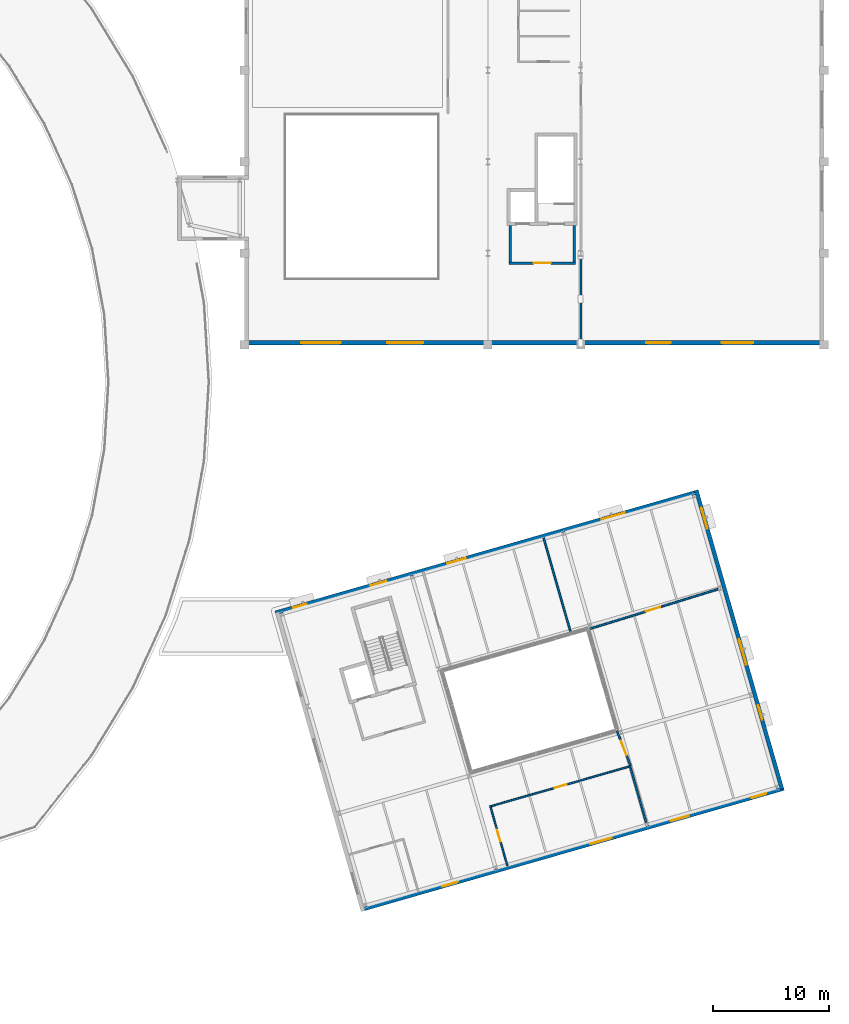
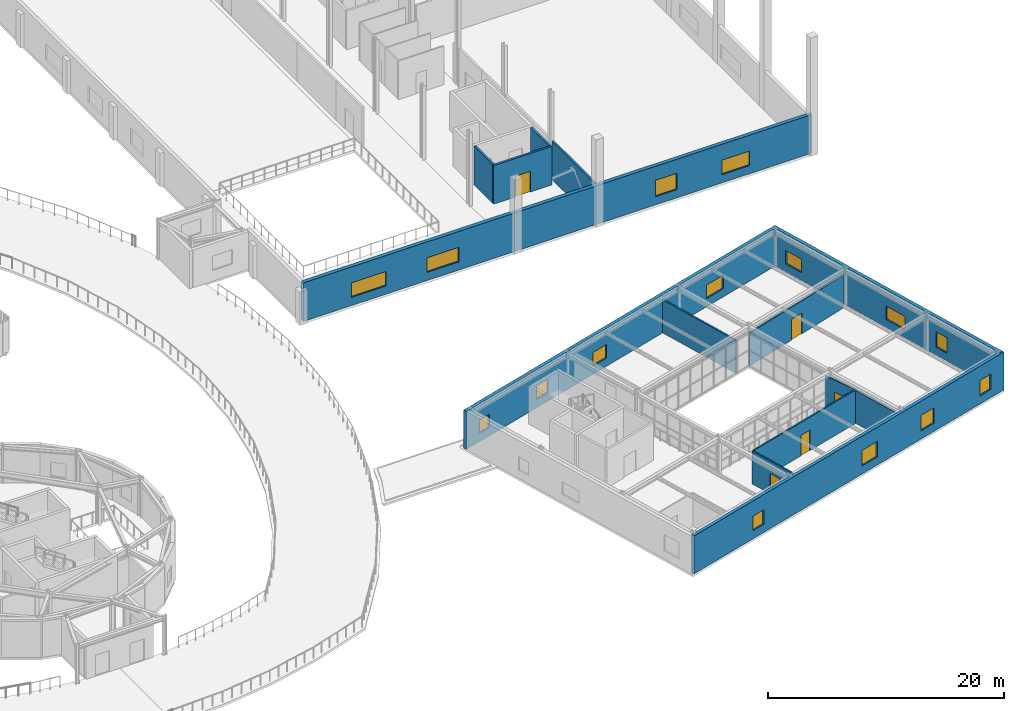
# One storey, part 37 of 59: 15 windows, 14 walls, 5 doors, 20 openings.
"""IFC4 building model written with IfcOpenShell, lengths in metres."""

from ifc_helpers import new_model, si_unit, direction, frame, frame_2d, origin, place, context, subcontext, project, spatial, rectangle, extrude, material, layer, layer_set, type_object, element, fill, save


model = new_model("IFC4")

# Units and contexts
model_context = context("Model", 3, precision=1e-05, world=origin(), true_north=direction((0.0, 1.0)))
body_context = subcontext(model_context, "Body", "Model", "MODEL_VIEW")
ifc_project = project(units=[si_unit("LENGTHUNIT", "METRE"), si_unit("AREAUNIT", "SQUARE_METRE"), si_unit("VOLUMEUNIT", "CUBIC_METRE"), si_unit("PLANEANGLEUNIT", "RADIAN"), si_unit("MASSUNIT", "GRAM", prefix="KILO")], contexts=[model_context])

# Site, building, storey
site_placement = place(None, origin())
site = spatial("IfcSite", under=ifc_project, at=site_placement, CompositionType="ELEMENT")
building_placement = place(site_placement, origin())
building = spatial("IfcBuilding", under=site, at=building_placement, Name="Varnklinge Art Gallery", CompositionType="ELEMENT")
storey_placement = place(building_placement, frame((0.0, 0.0, 9.52001953125)))
storey = spatial("IfcBuildingStorey", under=building, at=storey_placement, Name="L02", CompositionType="ELEMENT", Elevation=9.52001953125)

# Wall, openings, windows
ifc_material_1 = material(Name="Precast concrete C40/50", Category="concrete")
ifc_layer_1 = layer(ifc_material_1, 0.340087890625)
ifc_layer_set_1 = layer_set([ifc_layer_1], Name="Precast concrete C40/50")
wall_type_1 = type_object("IfcWallType", Name="EW-34", PredefinedType="SOLIDWALL", material=ifc_layer_set_1)
wall_1_placement = place(storey_placement, frame((117.061767578125, 35.076416015625, 0.0), z_axis=(0.0, 0.0, 1.0), x_axis=(0.961260735733, 0.275640704428, 0.0)))
wall_1 = element("IfcWall", 1, at=wall_1_placement, inside=storey, type_object=wall_type_1, Name="L02 Exterior Wall EW-V6-L02-02", PredefinedType="SOLIDWALL", context=body_context, shape_type="SweptSolid", body=[
    extrude(rectangle(XDim=37.830078125, YDim=0.340087890625, at=frame_2d((18.9150390625, 0.0))), origin(), (0.0, 0.0, 1.0), 3.919921875),
])
opening_1_placement = place(wall_1_placement, frame((1.60009765625, 0.0, 0.85009765625)))
opening_1 = element("IfcOpeningElement", 2, at=opening_1_placement, cuts=wall_1, Name="Opening WN-21", PredefinedType="OPENING", context=body_context, shape_type="SweptSolid", body=[
    extrude(rectangle(XDim=1.199951171875, YDim=1.39990234375, at=frame_2d((0.60009765625, 0.699951171875))), frame((0.0, 0.179931640625, 0.0), z_axis=(0.0, -1.0, 0.0), x_axis=(1.0, 0.0, 0.0)), (0.0, 0.0, 1.0), 0.360107421875),
])
opening_2_placement = place(wall_1_placement, frame((8.52587890625, 0.0, 0.85009765625)))
opening_2 = element("IfcOpeningElement", 3, at=opening_2_placement, cuts=wall_1, Name="Opening WN-22", PredefinedType="OPENING", context=body_context, shape_type="SweptSolid", body=[
    extrude(rectangle(XDim=1.449951171875, YDim=1.39990234375, at=frame_2d((0.72509765625, 0.699951171875))), frame((0.0, 0.179931640625, 0.0), z_axis=(0.0, -1.0, 0.0), x_axis=(1.0, 0.0, 0.0)), (0.0, 0.0, 1.0), 0.360107421875),
])
opening_3_placement = place(wall_1_placement, frame((15.451904296875, 0.0, 0.85009765625)))
opening_3 = element("IfcOpeningElement", 4, at=opening_3_placement, cuts=wall_1, Name="Opening WN-23", PredefinedType="OPENING", context=body_context, shape_type="SweptSolid", body=[
    extrude(rectangle(XDim=1.64990234375, YDim=1.39990234375, at=frame_2d((0.824951171875, 0.699951171875))), frame((0.0, 0.179931640625, 0.0), z_axis=(0.0, -1.0, 0.0), x_axis=(1.0, 0.0, 0.0)), (0.0, 0.0, 1.0), 0.360107421875),
])
opening_4_placement = place(wall_1_placement, frame((29.303955078125, 0.0, 0.85009765625)))
opening_4 = element("IfcOpeningElement", 5, at=opening_4_placement, cuts=wall_1, Name="Opening WN-25", PredefinedType="OPENING", context=body_context, shape_type="SweptSolid", body=[
    extrude(rectangle(XDim=2.050048828125, YDim=1.39990234375, at=frame_2d((1.02490234375, 0.699951171875))), frame((0.0, 0.179931640625, 0.0), z_axis=(0.0, -1.0, 0.0), x_axis=(1.0, 0.0, 0.0)), (0.0, 0.0, 1.0), 0.360107421875),
])
ifc_material_2 = material(Name="Insulated Low-E Triple Glazing", Category="glass")
window_type_1 = type_object("IfcWindowType", Name="WN-21", PartitioningType="SINGLE_PANEL", PredefinedType="WINDOW", material=ifc_material_2)
window_1_placement = place(opening_1_placement, origin())
window_1 = element("IfcWindow", 6, at=window_1_placement, inside=storey, type_object=window_type_1, Name="L02 Window WIN-L02-177", OverallHeight=1.39990234375, OverallWidth=1.199951171875, PartitioningType="SINGLE_PANEL", PredefinedType="WINDOW", context=body_context, shape_type="SweptSolid", body=[
    extrude(rectangle(XDim=1.199951171875, YDim=1.39990234375, at=frame_2d((0.60009765625, 0.699951171875))), frame((0.0, 0.030029296875, 0.0), z_axis=(0.0, -1.0, 0.0), x_axis=(1.0, 0.0, 0.0)), (0.0, 0.0, 1.0), 0.06005859375),
])
fill(opening_1, window_1)
ifc_material_3 = material(Name="Insulated Low-E Triple Glazing", Category="glass")
window_type_2 = type_object("IfcWindowType", Name="WN-22", PartitioningType="SINGLE_PANEL", PredefinedType="WINDOW", material=ifc_material_3)
window_2_placement = place(opening_2_placement, origin())
window_2 = element("IfcWindow", 7, at=window_2_placement, inside=storey, type_object=window_type_2, Name="L02 Window WIN-L02-178", OverallHeight=1.39990234375, OverallWidth=1.449951171875, PartitioningType="SINGLE_PANEL", PredefinedType="WINDOW", context=body_context, shape_type="SweptSolid", body=[
    extrude(rectangle(XDim=1.449951171875, YDim=1.39990234375, at=frame_2d((0.72509765625, 0.699951171875))), frame((0.0, 0.030029296875, 0.0), z_axis=(0.0, -1.0, 0.0), x_axis=(1.0, 0.0, 0.0)), (0.0, 0.0, 1.0), 0.06005859375),
])
fill(opening_2, window_2)
ifc_material_4 = material(Name="Insulated Low-E Triple Glazing", Category="glass")
window_type_3 = type_object("IfcWindowType", Name="WN-23", PartitioningType="SINGLE_PANEL", PredefinedType="WINDOW", material=ifc_material_4)
window_3_placement = place(opening_3_placement, origin())
window_3 = element("IfcWindow", 8, at=window_3_placement, inside=storey, type_object=window_type_3, Name="L02 Window WIN-L02-179", OverallHeight=1.39990234375, OverallWidth=1.64990234375, PartitioningType="SINGLE_PANEL", PredefinedType="WINDOW", context=body_context, shape_type="SweptSolid", body=[
    extrude(rectangle(XDim=1.64990234375, YDim=1.39990234375, at=frame_2d((0.824951171875, 0.699951171875))), frame((0.0, 0.030029296875, 0.0), z_axis=(0.0, -1.0, 0.0), x_axis=(1.0, 0.0, 0.0)), (0.0, 0.0, 1.0), 0.06005859375),
])
fill(opening_3, window_3)
ifc_material_5 = material(Name="Insulated Low-E Triple Glazing", Category="glass")
window_type_4 = type_object("IfcWindowType", Name="WN-25", PartitioningType="SINGLE_PANEL", PredefinedType="WINDOW", material=ifc_material_5)
window_4_placement = place(opening_4_placement, origin())
window_4 = element("IfcWindow", 9, at=window_4_placement, inside=storey, type_object=window_type_4, Name="L02 Window WIN-L02-180", OverallHeight=1.39990234375, OverallWidth=2.050048828125, PartitioningType="SINGLE_PANEL", PredefinedType="WINDOW", context=body_context, shape_type="SweptSolid", body=[
    extrude(rectangle(XDim=2.050048828125, YDim=1.39990234375, at=frame_2d((1.02490234375, 0.699951171875))), frame((0.0, 0.030029296875, 0.0), z_axis=(0.0, -1.0, 0.0), x_axis=(1.0, 0.0, 0.0)), (0.0, 0.0, 1.0), 0.06005859375),
])
fill(opening_4, window_4)

wall_2_placement = place(storey_placement, frame((153.37939453125, 45.667236328125, 0.0), z_axis=(0.0, 0.0, 1.0), x_axis=(0.275644006198, -0.961259788947, 0.0)))
wall_2 = element("IfcWall", 10, at=wall_2_placement, inside=storey, type_object=wall_type_1, Name="L02 Exterior Wall EW-V6-L02-03", PredefinedType="SOLIDWALL", context=body_context, shape_type="SweptSolid", body=[
    extrude(rectangle(XDim=26.829833984375, YDim=0.340087890625, at=frame_2d((13.4150390625, 0.0))), origin(), (0.0, 0.0, 1.0), 3.919921875),
])
opening_5_placement = place(wall_2_placement, frame((1.60009765625, 0.0, 0.85009765625)))
opening_5 = element("IfcOpeningElement", 11, at=opening_5_placement, cuts=wall_2, Name="Opening WN-24", PredefinedType="OPENING", context=body_context, shape_type="SweptSolid", body=[
    extrude(rectangle(XDim=1.85009765625, YDim=1.39990234375, at=frame_2d((0.925048828125, 0.699951171875))), frame((0.0, 0.179931640625, 0.0), z_axis=(0.0, -1.0, 0.0), x_axis=(1.0, 0.0, 0.0)), (0.0, 0.0, 1.0), 0.360107421875),
])
opening_6_placement = place(wall_2_placement, frame((13.414794921875, 0.0, 0.85009765625)))
opening_6 = element("IfcOpeningElement", 12, at=opening_6_placement, cuts=wall_2, Name="Opening WN-26", PredefinedType="OPENING", context=body_context, shape_type="SweptSolid", body=[
    extrude(rectangle(XDim=2.25, YDim=1.39990234375, at=frame_2d((1.125, 0.699951171875))), frame((0.0, 0.179931640625, 0.0), z_axis=(0.0, -1.0, 0.0), x_axis=(1.0, 0.0, 0.0)), (0.0, 0.0, 1.0), 0.360107421875),
])
opening_7_placement = place(wall_2_placement, frame((19.322509765625, 0.0, 0.85009765625)))
opening_7 = element("IfcOpeningElement", 13, at=opening_7_placement, cuts=wall_2, Name="Opening WN-27", PredefinedType="OPENING", context=body_context, shape_type="SweptSolid", body=[
    extrude(rectangle(XDim=1.300048828125, YDim=1.60009765625, at=frame_2d((0.64990234375, 0.800048828125))), frame((0.0, 0.179931640625, 0.0), z_axis=(0.0, -1.0, 0.0), x_axis=(1.0, 0.0, 0.0)), (0.0, 0.0, 1.0), 0.360107421875),
])
ifc_material_6 = material(Name="Insulated Low-E Triple Glazing", Category="glass")
window_type_5 = type_object("IfcWindowType", Name="WN-24", PartitioningType="SINGLE_PANEL", PredefinedType="WINDOW", material=ifc_material_6)
window_5_placement = place(opening_5_placement, origin())
window_5 = element("IfcWindow", 14, at=window_5_placement, inside=storey, type_object=window_type_5, Name="L02 Window WIN-L02-181", OverallHeight=1.39990234375, OverallWidth=1.85009765625, PartitioningType="SINGLE_PANEL", PredefinedType="WINDOW", context=body_context, shape_type="SweptSolid", body=[
    extrude(rectangle(XDim=1.85009765625, YDim=1.39990234375, at=frame_2d((0.925048828125, 0.699951171875))), frame((0.0, 0.030029296875, 0.0), z_axis=(0.0, -1.0, 0.0), x_axis=(1.0, 0.0, 0.0)), (0.0, 0.0, 1.0), 0.06005859375),
])
fill(opening_5, window_5)
ifc_material_7 = material(Name="Insulated Low-E Triple Glazing", Category="glass")
window_type_6 = type_object("IfcWindowType", Name="WN-26", PartitioningType="SINGLE_PANEL", PredefinedType="WINDOW", material=ifc_material_7)
window_6_placement = place(opening_6_placement, origin())
window_6 = element("IfcWindow", 15, at=window_6_placement, inside=storey, type_object=window_type_6, Name="L02 Window WIN-L02-182", OverallHeight=1.39990234375, OverallWidth=2.25, PartitioningType="SINGLE_PANEL", PredefinedType="WINDOW", context=body_context, shape_type="SweptSolid", body=[
    extrude(rectangle(XDim=2.25, YDim=1.39990234375, at=frame_2d((1.125, 0.699951171875))), frame((0.0, 0.030029296875, 0.0), z_axis=(0.0, -1.0, 0.0), x_axis=(1.0, 0.0, 0.0)), (0.0, 0.0, 1.0), 0.06005859375),
])
fill(opening_6, window_6)
ifc_material_8 = material(Name="Insulated Low-E Triple Glazing", Category="glass")
window_type_7 = type_object("IfcWindowType", Name="WN-27", PartitioningType="SINGLE_PANEL", PredefinedType="WINDOW", material=ifc_material_8)
window_7_placement = place(opening_7_placement, origin())
window_7 = element("IfcWindow", 16, at=window_7_placement, inside=storey, type_object=window_type_7, Name="L02 Window WIN-L02-183", OverallHeight=1.60009765625, OverallWidth=1.300048828125, PartitioningType="SINGLE_PANEL", PredefinedType="WINDOW", context=body_context, shape_type="SweptSolid", body=[
    extrude(rectangle(XDim=1.300048828125, YDim=1.60009765625, at=frame_2d((0.64990234375, 0.800048828125))), frame((0.0, 0.030029296875, 0.0), z_axis=(0.0, -1.0, 0.0), x_axis=(1.0, 0.0, 0.0)), (0.0, 0.0, 1.0), 0.06005859375),
])
fill(opening_7, window_7)

wall_3_placement = place(storey_placement, frame((160.938232421875, 19.923583984375, 0.0), z_axis=(0.0, 0.0, 1.0), x_axis=(-0.961260735733, -0.275640704428, 0.0)))
wall_3 = element("IfcWall", 17, at=wall_3_placement, inside=storey, type_object=wall_type_1, Name="L02 Exterior Wall EW-V6-L02-04", PredefinedType="SOLIDWALL", context=body_context, shape_type="SweptSolid", body=[
    extrude(rectangle(XDim=37.830078125, YDim=0.340087890625, at=frame_2d((18.9150390625, 0.0))), origin(), (0.0, 0.0, 1.0), 3.919921875),
])
opening_8_placement = place(wall_3_placement, frame((1.60009765625, 0.0, 0.85009765625)))
opening_8 = element("IfcOpeningElement", 18, at=opening_8_placement, cuts=wall_3, Name="Opening WN-27", PredefinedType="OPENING", context=body_context, shape_type="SweptSolid", body=[
    extrude(rectangle(XDim=1.300048828125, YDim=1.60009765625, at=frame_2d((0.64990234375, 0.800048828125))), frame((0.0, 0.179931640625, 0.0), z_axis=(0.0, -1.0, 0.0), x_axis=(1.0, 0.0, 0.0)), (0.0, 0.0, 1.0), 0.360107421875),
])
opening_9_placement = place(wall_3_placement, frame((8.52587890625, 0.0, 0.85009765625)))
opening_9 = element("IfcOpeningElement", 19, at=opening_9_placement, cuts=wall_3, Name="Opening WN-28", PredefinedType="OPENING", context=body_context, shape_type="SweptSolid", body=[
    extrude(rectangle(XDim=1.60009765625, YDim=1.60009765625, at=frame_2d((0.800048828125, 0.800048828125))), frame((0.0, 0.179931640625, 0.0), z_axis=(0.0, -1.0, 0.0), x_axis=(1.0, 0.0, 0.0)), (0.0, 0.0, 1.0), 0.360107421875),
])
opening_10_placement = place(wall_3_placement, frame((15.451904296875, 0.0, 0.85009765625)))
opening_10 = element("IfcOpeningElement", 20, at=opening_10_placement, cuts=wall_3, Name="Opening WN-29", PredefinedType="OPENING", context=body_context, shape_type="SweptSolid", body=[
    extrude(rectangle(XDim=1.89990234375, YDim=1.60009765625, at=frame_2d((0.949951171875, 0.800048828125))), frame((0.0, 0.179931640625, 0.0), z_axis=(0.0, -1.0, 0.0), x_axis=(1.0, 0.0, 0.0)), (0.0, 0.0, 1.0), 0.360107421875),
])
opening_11_placement = place(wall_3_placement, frame((29.303955078125, 0.0, 0.85009765625)))
opening_11 = element("IfcOpeningElement", 21, at=opening_11_placement, cuts=wall_3, Name="Opening WN-02", PredefinedType="OPENING", context=body_context, shape_type="SweptSolid", body=[
    extrude(rectangle(XDim=1.35009765625, YDim=1.5, at=frame_2d((0.675048828125, 0.75))), frame((0.0, 0.179931640625, 0.0), z_axis=(0.0, -1.0, 0.0), x_axis=(1.0, 0.0, 0.0)), (0.0, 0.0, 1.0), 0.360107421875),
])
ifc_material_9 = material(Name="Insulated Low-E Triple Glazing", Category="glass")
window_type_8 = type_object("IfcWindowType", Name="WN-02", PartitioningType="SINGLE_PANEL", PredefinedType="WINDOW", material=ifc_material_9)
window_8_placement = place(opening_11_placement, origin())
window_8 = element("IfcWindow", 22, at=window_8_placement, inside=storey, type_object=window_type_8, Name="L02 Window WIN-L02-187", OverallHeight=1.5, OverallWidth=1.35009765625, PartitioningType="SINGLE_PANEL", PredefinedType="WINDOW", context=body_context, shape_type="SweptSolid", body=[
    extrude(rectangle(XDim=1.35009765625, YDim=1.5, at=frame_2d((0.675048828125, 0.75))), frame((0.0, 0.030029296875, 0.0), z_axis=(0.0, -1.0, 0.0), x_axis=(1.0, 0.0, 0.0)), (0.0, 0.0, 1.0), 0.06005859375),
])
fill(opening_11, window_8)
window_9_placement = place(opening_8_placement, origin())
window_9 = element("IfcWindow", 23, at=window_9_placement, inside=storey, type_object=window_type_7, Name="L02 Window WIN-L02-184", OverallHeight=1.60009765625, OverallWidth=1.300048828125, PartitioningType="SINGLE_PANEL", PredefinedType="WINDOW", context=body_context, shape_type="SweptSolid", body=[
    extrude(rectangle(XDim=1.300048828125, YDim=1.60009765625, at=frame_2d((0.64990234375, 0.800048828125))), frame((0.0, 0.030029296875, 0.0), z_axis=(0.0, -1.0, 0.0), x_axis=(1.0, 0.0, 0.0)), (0.0, 0.0, 1.0), 0.06005859375),
])
fill(opening_8, window_9)
ifc_material_10 = material(Name="Insulated Low-E Triple Glazing", Category="glass")
window_type_9 = type_object("IfcWindowType", Name="WN-28", PartitioningType="SINGLE_PANEL", PredefinedType="WINDOW", material=ifc_material_10)
window_10_placement = place(opening_9_placement, origin())
window_10 = element("IfcWindow", 24, at=window_10_placement, inside=storey, type_object=window_type_9, Name="L02 Window WIN-L02-185", OverallHeight=1.60009765625, OverallWidth=1.60009765625, PartitioningType="SINGLE_PANEL", PredefinedType="WINDOW", context=body_context, shape_type="SweptSolid", body=[
    extrude(rectangle(XDim=1.60009765625, YDim=1.60009765625, at=frame_2d((0.800048828125, 0.800048828125))), frame((0.0, 0.030029296875, 0.0), z_axis=(0.0, -1.0, 0.0), x_axis=(1.0, 0.0, 0.0)), (0.0, 0.0, 1.0), 0.06005859375),
])
fill(opening_9, window_10)
ifc_material_11 = material(Name="Insulated Low-E Triple Glazing", Category="glass")
window_type_10 = type_object("IfcWindowType", Name="WN-29", PartitioningType="SINGLE_PANEL", PredefinedType="WINDOW", material=ifc_material_11)
window_11_placement = place(opening_10_placement, origin())
window_11 = element("IfcWindow", 25, at=window_11_placement, inside=storey, type_object=window_type_10, Name="L02 Window WIN-L02-186", OverallHeight=1.60009765625, OverallWidth=1.89990234375, PartitioningType="SINGLE_PANEL", PredefinedType="WINDOW", context=body_context, shape_type="SweptSolid", body=[
    extrude(rectangle(XDim=1.89990234375, YDim=1.60009765625, at=frame_2d((0.949951171875, 0.800048828125))), frame((0.0, 0.030029296875, 0.0), z_axis=(0.0, -1.0, 0.0), x_axis=(1.0, 0.0, 0.0)), (0.0, 0.0, 1.0), 0.06005859375),
])
fill(opening_10, window_11)

ifc_material_12 = material(Name="Concrete C40/50", Category="concrete")
ifc_layer_2 = layer(ifc_material_12, 0.360107421875)
ifc_layer_set_2 = layer_set([ifc_layer_2], Name="Concrete C40/50")
wall_type_2 = type_object("IfcWallType", Name="EW-36", PredefinedType="SOLIDWALL", material=ifc_layer_set_2)
wall_4_placement = place(storey_placement, frame((164.39990234375, 58.3798828125, 0.0), z_axis=(0.0, 0.0, 1.0), x_axis=(-1.0, 0.0, 0.0)))
wall_4 = element("IfcWall", 26, at=wall_4_placement, inside=storey, type_object=wall_type_2, Name="L02 Exterior Wall EW-V1-L02-05", PredefinedType="SOLIDWALL", context=body_context, shape_type="SweptSolid", body=[
    extrude(rectangle(XDim=49.81982421875, YDim=0.360107421875, at=frame_2d((24.909912109375, 0.0))), origin(), (0.0, 0.0, 1.0), 4.0),
])
opening_12_placement = place(wall_4_placement, frame((6.1171875, 0.0, 0.85009765625)))
opening_12 = element("IfcOpeningElement", 27, at=opening_12_placement, cuts=wall_4, Name="Opening WN-08", PredefinedType="OPENING", context=body_context, shape_type="SweptSolid", body=[
    extrude(rectangle(XDim=2.699951171875, YDim=1.5, at=frame_2d((1.35009765625, 0.75))), frame((0.0, 0.190185546875, 0.0), z_axis=(0.0, -1.0, 0.0), x_axis=(1.0, 0.0, 0.0)), (0.0, 0.0, 1.0), 0.380126953125),
])
opening_13_placement = place(wall_4_placement, frame((13.234375, 0.0, 0.85009765625)))
opening_13 = element("IfcOpeningElement", 28, at=opening_13_placement, cuts=wall_4, Name="Opening WN-12", PredefinedType="OPENING", context=body_context, shape_type="SweptSolid", body=[
    extrude(rectangle(XDim=2.10009765625, YDim=1.699951171875, at=frame_2d((1.050048828125, 0.85009765625))), frame((0.0, 0.190185546875, 0.0), z_axis=(0.0, -1.0, 0.0), x_axis=(1.0, 0.0, 0.0)), (0.0, 0.0, 1.0), 0.380126953125),
])
opening_14_placement = place(wall_4_placement, frame((34.585693359375, 0.0, 0.85009765625)))
opening_14 = element("IfcOpeningElement", 29, at=opening_14_placement, cuts=wall_4, Name="Opening WN-19", PredefinedType="OPENING", context=body_context, shape_type="SweptSolid", body=[
    extrude(rectangle(XDim=3.10009765625, YDim=1.5, at=frame_2d((1.550048828125, 0.75))), frame((0.0, 0.190185546875, 0.0), z_axis=(0.0, -1.0, 0.0), x_axis=(1.0, 0.0, 0.0)), (0.0, 0.0, 1.0), 0.380126953125),
])
opening_15_placement = place(wall_4_placement, frame((41.702880859375, 0.0, 0.85009765625)))
opening_15 = element("IfcOpeningElement", 30, at=opening_15_placement, cuts=wall_4, Name="Opening WN-20", PredefinedType="OPENING", context=body_context, shape_type="SweptSolid", body=[
    extrude(rectangle(XDim=3.39990234375, YDim=1.5, at=frame_2d((1.699951171875, 0.75))), frame((0.0, 0.190185546875, 0.0), z_axis=(0.0, -1.0, 0.0), x_axis=(1.0, 0.0, 0.0)), (0.0, 0.0, 1.0), 0.380126953125),
])
ifc_material_13 = material(Name="Insulated Low-E Triple Glazing", Category="glass")
window_type_11 = type_object("IfcWindowType", Name="WN-08", PartitioningType="SINGLE_PANEL", PredefinedType="WINDOW", material=ifc_material_13)
window_12_placement = place(opening_12_placement, origin())
window_12 = element("IfcWindow", 31, at=window_12_placement, inside=storey, type_object=window_type_11, Name="L02 Window WIN-L02-041", OverallHeight=1.5, OverallWidth=2.699951171875, PartitioningType="SINGLE_PANEL", PredefinedType="WINDOW", context=body_context, shape_type="SweptSolid", body=[
    extrude(rectangle(XDim=2.699951171875, YDim=1.5, at=frame_2d((1.35009765625, 0.75))), frame((0.0, 0.030029296875, 0.0), z_axis=(0.0, -1.0, 0.0), x_axis=(1.0, 0.0, 0.0)), (0.0, 0.0, 1.0), 0.06005859375),
])
fill(opening_12, window_12)
ifc_material_14 = material(Name="Insulated Low-E Triple Glazing", Category="glass")
window_type_12 = type_object("IfcWindowType", Name="WN-12", PartitioningType="SINGLE_PANEL", PredefinedType="WINDOW", material=ifc_material_14)
window_13_placement = place(opening_13_placement, origin())
window_13 = element("IfcWindow", 32, at=window_13_placement, inside=storey, type_object=window_type_12, Name="L02 Window WIN-L02-042", OverallHeight=1.699951171875, OverallWidth=2.10009765625, PartitioningType="SINGLE_PANEL", PredefinedType="WINDOW", context=body_context, shape_type="SweptSolid", body=[
    extrude(rectangle(XDim=2.10009765625, YDim=1.699951171875, at=frame_2d((1.050048828125, 0.85009765625))), frame((0.0, 0.030029296875, 0.0), z_axis=(0.0, -1.0, 0.0), x_axis=(1.0, 0.0, 0.0)), (0.0, 0.0, 1.0), 0.06005859375),
])
fill(opening_13, window_13)
ifc_material_15 = material(Name="Insulated Low-E Triple Glazing", Category="glass")
window_type_13 = type_object("IfcWindowType", Name="WN-19", PartitioningType="SINGLE_PANEL", PredefinedType="WINDOW", material=ifc_material_15)
window_14_placement = place(opening_14_placement, origin())
window_14 = element("IfcWindow", 33, at=window_14_placement, inside=storey, type_object=window_type_13, Name="L02 Window WIN-L02-043", OverallHeight=1.5, OverallWidth=3.10009765625, PartitioningType="SINGLE_PANEL", PredefinedType="WINDOW", context=body_context, shape_type="SweptSolid", body=[
    extrude(rectangle(XDim=3.10009765625, YDim=1.5, at=frame_2d((1.550048828125, 0.75))), frame((0.0, 0.030029296875, 0.0), z_axis=(0.0, -1.0, 0.0), x_axis=(1.0, 0.0, 0.0)), (0.0, 0.0, 1.0), 0.06005859375),
])
fill(opening_14, window_14)
ifc_material_16 = material(Name="Insulated Low-E Triple Glazing", Category="glass")
window_type_14 = type_object("IfcWindowType", Name="WN-20", PartitioningType="SINGLE_PANEL", PredefinedType="WINDOW", material=ifc_material_16)
window_15_placement = place(opening_15_placement, origin())
window_15 = element("IfcWindow", 34, at=window_15_placement, inside=storey, type_object=window_type_14, Name="L02 Window WIN-L02-044", OverallHeight=1.5, OverallWidth=3.39990234375, PartitioningType="SINGLE_PANEL", PredefinedType="WINDOW", context=body_context, shape_type="SweptSolid", body=[
    extrude(rectangle(XDim=3.39990234375, YDim=1.5, at=frame_2d((1.699951171875, 0.75))), frame((0.0, 0.030029296875, 0.0), z_axis=(0.0, -1.0, 0.0), x_axis=(1.0, 0.0, 0.0)), (0.0, 0.0, 1.0), 0.06005859375),
])
fill(opening_15, window_15)

# Wall, opening, door
ifc_material_17 = material(Name="Gypsum Board Partition", Category="gypsum")
ifc_layer_3 = layer(ifc_material_17, 0.139892578125)
ifc_layer_set_3 = layer_set([ifc_layer_3], Name="Gypsum Board Partition")
wall_type_3 = type_object("IfcWallType", Name="IW-14", PredefinedType="PARTITIONING", material=ifc_layer_set_3)
wall_5_placement = place(storey_placement, frame((135.59521484375, 18.440673828125, 0.0), z_axis=(0.0, 0.0, 1.0), x_axis=(0.275636962286, -0.961261808781, 0.0)))
wall_5 = element("IfcWall", 35, at=wall_5_placement, inside=storey, type_object=wall_type_3, Name="L02 Partition Wall IW-L02-0307", PredefinedType="PARTITIONING", context=body_context, shape_type="SweptSolid", body=[
    extrude(rectangle(XDim=5.38623046875, YDim=0.139892578125, at=frame_2d((2.693115234375, 0.0))), origin(), (0.0, 0.0, 1.0), 3.409912109375),
])
opening_16_placement = place(wall_5_placement, frame((2.153076171875, 0.0, 0.0)))
opening_16 = element("IfcOpeningElement", 36, at=opening_16_placement, cuts=wall_5, Name="Opening D-L02-244", PredefinedType="OPENING", context=body_context, shape_type="SweptSolid", body=[
    extrude(rectangle(XDim=1.080078125, YDim=2.1201171875, at=frame_2d((0.5400390625, 1.06005859375))), frame((0.0, 0.079833984375, 0.0), z_axis=(0.0, -1.0, 0.0), x_axis=(1.0, 0.0, 0.0)), (0.0, 0.0, 1.0), 0.159912109375),
])
ifc_material_18 = material(Name="Oak Timber Leaf", Category="wood")
door_type_1 = type_object("IfcDoorType", Name="ID-04", OperationType="SINGLE_SWING_RIGHT", PredefinedType="DOOR", material=ifc_material_18)
door_1_placement = place(opening_16_placement, origin())
door_1 = element("IfcDoor", 37, at=door_1_placement, inside=storey, type_object=door_type_1, Name="L02 L02 Residency Critique Room Door D-L02-244", OperationType="SINGLE_SWING_RIGHT", OverallHeight=2.1201171875, OverallWidth=1.080078125, PredefinedType="DOOR", context=body_context, shape_type="SweptSolid", body=[
    extrude(rectangle(XDim=1.080078125, YDim=2.1201171875, at=frame_2d((0.5400390625, 1.06005859375))), frame((0.0, 0.02490234375, 0.0), z_axis=(0.0, -1.0, 0.0), x_axis=(1.0, 0.0, 0.0)), (0.0, 0.0, 1.0), 0.050048828125),
])
fill(opening_16, door_1)

wall_6_placement = place(storey_placement, frame((147.69482421875, 21.84765625, 0.0), z_axis=(0.0, 0.0, 1.0), x_axis=(-0.961259327695, -0.275645614728, 0.0)))
wall_6 = element("IfcWall", 38, at=wall_6_placement, inside=storey, type_object=wall_type_3, Name="L02 Partition Wall IW-L02-0309", PredefinedType="PARTITIONING", context=body_context, shape_type="SweptSolid", body=[
    extrude(rectangle(XDim=12.48486328125, YDim=0.139892578125, at=frame_2d((6.242431640625, 0.0))), origin(), (0.0, 0.0, 1.0), 3.4599609375),
])
opening_17_placement = place(wall_6_placement, frame((5.702392578125, 0.0, 0.0)))
opening_17 = element("IfcOpeningElement", 39, at=opening_17_placement, cuts=wall_6, Name="Opening D-L02-246", PredefinedType="OPENING", context=body_context, shape_type="SweptSolid", body=[
    extrude(rectangle(XDim=1.080078125, YDim=2.1201171875, at=frame_2d((0.5400390625, 1.06005859375))), frame((0.0, 0.079833984375, 0.0), z_axis=(0.0, -1.0, 0.0), x_axis=(1.0, 0.0, 0.0)), (0.0, 0.0, 1.0), 0.159912109375),
])
door_2_placement = place(opening_17_placement, origin())
door_2 = element("IfcDoor", 40, at=door_2_placement, inside=storey, type_object=door_type_1, Name="L02 L02 Residency Critique Room Door D-L02-246", OperationType="SINGLE_SWING_RIGHT", OverallHeight=2.1201171875, OverallWidth=1.080078125, PredefinedType="DOOR", context=body_context, shape_type="SweptSolid", body=[
    extrude(rectangle(XDim=1.080078125, YDim=2.1201171875, at=frame_2d((0.5400390625, 1.06005859375))), frame((0.0, 0.02490234375, 0.0), z_axis=(0.0, -1.0, 0.0), x_axis=(1.0, 0.0, 0.0)), (0.0, 0.0, 1.0), 0.050048828125),
])
fill(opening_17, door_2)

ifc_material_19 = material(Name="Gypsum Board Partition", Category="gypsum")
ifc_layer_4 = layer(ifc_material_19, 0.159912109375)
ifc_layer_set_4 = layer_set([ifc_layer_4], Name="Gypsum Board Partition")
wall_type_4 = type_object("IfcWallType", Name="IW-16", PredefinedType="PARTITIONING", material=ifc_layer_set_4)
wall_7_placement = place(storey_placement, frame((146.525390625, 24.93212890625, 0.0), z_axis=(0.0, 0.0, 1.0), x_axis=(0.363735192139, -0.931502393985, 0.0)))
wall_7 = element("IfcWall", 41, at=wall_7_placement, inside=storey, type_object=wall_type_4, Name="L02 Partition Wall IW-L02-0308", PredefinedType="PARTITIONING", context=body_context, shape_type="SweptSolid", body=[
    extrude(rectangle(XDim=3.271484375, YDim=0.159912109375, at=frame_2d((1.6357421875, 0.0))), origin(), (0.0, 0.0, 1.0), 3.409912109375),
])
opening_18_placement = place(wall_7_placement, frame((0.985595703125, 0.0, 0.0)))
opening_18 = element("IfcOpeningElement", 42, at=opening_18_placement, cuts=wall_7, Name="Opening D-L02-245", PredefinedType="OPENING", context=body_context, shape_type="SweptSolid", body=[
    extrude(rectangle(XDim=1.300048828125, YDim=2.14990234375, at=frame_2d((0.64990234375, 1.074951171875))), frame((0.0, 0.090087890625, 0.0), z_axis=(0.0, -1.0, 0.0), x_axis=(1.0, 0.0, 0.0)), (0.0, 0.0, 1.0), 0.179931640625),
])
ifc_material_20 = material(Name="Oak Timber Leaf", Category="wood")
door_type_2 = type_object("IfcDoorType", Name="ID-11", OperationType="SINGLE_SWING_LEFT", PredefinedType="DOOR", material=ifc_material_20)
door_3_placement = place(opening_18_placement, origin())
door_3 = element("IfcDoor", 43, at=door_3_placement, inside=storey, type_object=door_type_2, Name="L02 L02 Ceramic and Casting Studio Door D-L02-245", OperationType="SINGLE_SWING_LEFT", OverallHeight=2.14990234375, OverallWidth=1.300048828125, PredefinedType="DOOR", context=body_context, shape_type="SweptSolid", body=[
    extrude(rectangle(XDim=1.300048828125, YDim=2.14990234375, at=frame_2d((0.64990234375, 1.074951171875))), frame((0.0, 0.02490234375, 0.0), z_axis=(0.0, -1.0, 0.0), x_axis=(1.0, 0.0, 0.0)), (0.0, 0.0, 1.0), 0.050048828125),
])
fill(opening_18, door_3)

# Wall
wall_8_placement = place(storey_placement, frame((140.208984375, 41.53271484375, 0.0), z_axis=(0.0, 0.0, 1.0), x_axis=(0.275609027471, -0.961269818509, 0.0)))
element("IfcWall", 44, at=wall_8_placement, inside=storey, type_object=wall_type_4, Name="L02 Partition Wall IW-L02-0323", PredefinedType="PARTITIONING", context=body_context, shape_type="SweptSolid", body=[
    extrude(rectangle(XDim=8.605712890625, YDim=0.159912109375, at=frame_2d((4.302734375, 0.0))), origin(), (0.0, 0.0, 1.0), 3.409912109375),
])

# Wall, opening, door
wall_9_placement = place(storey_placement, frame((155.23974609375, 37.118896484375, 0.0), z_axis=(0.0, 0.0, 1.0), x_axis=(-0.955222404678, -0.295888758828, 0.0)))
wall_9 = element("IfcWall", 45, at=wall_9_placement, inside=storey, type_object=wall_type_4, Name="L02 Partition Wall IW-L02-0324", PredefinedType="PARTITIONING", context=body_context, shape_type="SweptSolid", body=[
    extrude(rectangle(XDim=11.719970703125, YDim=0.159912109375, at=frame_2d((5.85986328125, 0.0))), origin(), (0.0, 0.0, 1.0), 3.409912109375),
])
opening_19_placement = place(wall_9_placement, frame((5.2099609375, 0.0, 0.0)))
opening_19 = element("IfcOpeningElement", 46, at=opening_19_placement, cuts=wall_9, Name="Opening D-L02-247", PredefinedType="OPENING", context=body_context, shape_type="SweptSolid", body=[
    extrude(rectangle(XDim=1.300048828125, YDim=2.14990234375, at=frame_2d((0.64990234375, 1.074951171875))), frame((0.0, 0.090087890625, 0.0), z_axis=(0.0, -1.0, 0.0), x_axis=(1.0, 0.0, 0.0)), (0.0, 0.0, 1.0), 0.179931640625),
])
door_4_placement = place(opening_19_placement, origin())
door_4 = element("IfcDoor", 47, at=door_4_placement, inside=storey, type_object=door_type_2, Name="L02 L02 Artists Studio 4 Door D-L02-247", OperationType="SINGLE_SWING_LEFT", OverallHeight=2.14990234375, OverallWidth=1.300048828125, PredefinedType="DOOR", context=body_context, shape_type="SweptSolid", body=[
    extrude(rectangle(XDim=1.300048828125, YDim=2.14990234375, at=frame_2d((0.64990234375, 1.074951171875))), frame((0.0, 0.02490234375, 0.0), z_axis=(0.0, -1.0, 0.0), x_axis=(1.0, 0.0, 0.0)), (0.0, 0.0, 1.0), 0.050048828125),
])
fill(opening_19, door_4)

# Walls
wall_10_placement = place(storey_placement, frame((149.052978515625, 17.002197265625, 0.0), z_axis=(0.0, 0.0, 1.0), x_axis=(-0.275613946292, 0.961268408203, 0.0)))
element("IfcWall", 48, at=wall_10_placement, inside=storey, type_object=wall_type_4, Name="L02 Partition Wall IW-L02-0325", PredefinedType="PARTITIONING", context=body_context, shape_type="SweptSolid", body=[
    extrude(rectangle(XDim=4.947265625, YDim=0.159912109375, at=frame_2d((2.4736328125, 0.0))), origin(), (0.0, 0.0, 1.0), 3.409912109375),
])
ifc_material_21 = material(Name="Gypsum Board Partition", Category="gypsum")
ifc_layer_5 = layer(ifc_material_21, 0.179931640625)
ifc_layer_set_5 = layer_set([ifc_layer_5], Name="Gypsum Board Partition")
wall_type_5 = type_object("IfcWallType", Name="IW-18", PredefinedType="PARTITIONING", material=ifc_layer_set_5)
wall_11_placement = place(storey_placement, frame((143.429931640625, 65.862060546875, 0.0), z_axis=(0.0, 0.0, 1.0), x_axis=(0.0, -1.0, 0.0)))
element("IfcWall", 49, at=wall_11_placement, inside=storey, type_object=wall_type_5, Name="L02 Partition Wall IW-L02-0265", PredefinedType="PARTITIONING", context=body_context, shape_type="SweptSolid", body=[
    extrude(rectangle(XDim=7.298095703125, YDim=0.179931640625, at=frame_2d((3.64892578125, 0.0))), origin(), (0.0, 0.0, 1.0), 3.989990234375),
])
ifc_material_22 = material(Name="Concrete C40/50", Category="concrete")
ifc_layer_6 = layer(ifc_material_22, 0.199951171875)
ifc_layer_set_6 = layer_set([ifc_layer_6], Name="Concrete C40/50")
wall_type_6 = type_object("IfcWallType", Name="IW-20", PredefinedType="PARTITIONING", material=ifc_layer_set_6)
for number, where, z_axis, x_axis, name in (
    (50, (142.85009765625, 65.35009765625, 0.0), (0.0, 0.0, 1.0), (0.0, 1.0, 0.0), "L02 Core C3 Lobby South Wall"),
    (51, (137.340087890625, 68.5, 0.0), (0.0, 0.0, 1.0), (0.0, -1.0, 0.0), "L02 Core C3 Lobby North Wall"),
):
    element("IfcWall", number, at=place(storey_placement, frame(where, z_axis=z_axis, x_axis=x_axis)), inside=storey, type_object=wall_type_6, Name=name, PredefinedType="PARTITIONING", context=body_context, shape_type="SweptSolid", body=[
        extrude(rectangle(XDim=3.14990234375, YDim=0.199951171875, at=frame_2d((1.574951171875, 0.0))), origin(), (0.0, 0.0, 1.0), 4.0),
    ])

# Wall, opening, door
wall_12_placement = place(storey_placement, frame((142.949951171875, 65.25, 0.0), z_axis=(0.0, 0.0, 1.0), x_axis=(-1.0, 0.0, 0.0)))
wall_12 = element("IfcWall", 52, at=wall_12_placement, inside=storey, type_object=wall_type_6, Name="L02 Core C3 Lobby Corridor Wall", PredefinedType="PARTITIONING", context=body_context, shape_type="SweptSolid", body=[
    extrude(rectangle(XDim=5.7099609375, YDim=0.199951171875, at=frame_2d((2.85498046875, 0.0))), origin(), (0.0, 0.0, 1.0), 4.0),
])
opening_20_placement = place(wall_12_placement, frame((2.114990234375, 0.0, 0.0)))
opening_20 = element("IfcOpeningElement", 53, at=opening_20_placement, cuts=wall_12, Name="Opening D-L02-060", PredefinedType="OPENING", context=body_context, shape_type="SweptSolid", body=[
    extrude(rectangle(XDim=1.47998046875, YDim=2.14990234375, at=frame_2d((0.739990234375, 1.074951171875))), frame((0.0, 0.110107421875, 0.0), z_axis=(0.0, -1.0, 0.0), x_axis=(1.0, 0.0, 0.0)), (0.0, 0.0, 1.0), 0.219970703125),
])
ifc_material_23 = material(Name="Galvanised Fire-Rated Steel", Category="steel")
door_type_3 = type_object("IfcDoorType", Name="ID-LB1", OperationType="DOUBLE_DOOR_SINGLE_SWING", PredefinedType="DOOR", material=ifc_material_23)
door_5_placement = place(opening_20_placement, origin())
door_5 = element("IfcDoor", 54, at=door_5_placement, inside=storey, type_object=door_type_3, Name="L02 Core C3 Protected Lobby Door D-L02-060", OperationType="DOUBLE_DOOR_SINGLE_SWING", OverallHeight=2.14990234375, OverallWidth=1.47998046875, PredefinedType="DOOR", context=body_context, shape_type="SweptSolid", body=[
    extrude(rectangle(XDim=1.47998046875, YDim=2.14990234375, at=frame_2d((0.739990234375, 1.074951171875))), frame((0.0, 0.02490234375, 0.0), z_axis=(0.0, -1.0, 0.0), x_axis=(1.0, 0.0, 0.0)), (0.0, 0.0, 1.0), 0.050048828125),
])
fill(opening_20, door_5)

save(model, "model.ifc")
